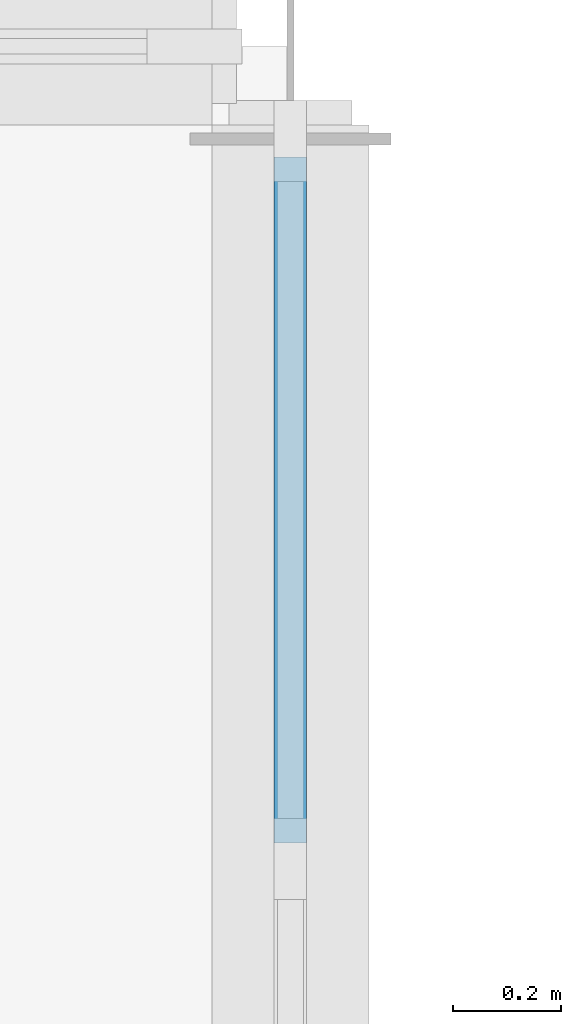
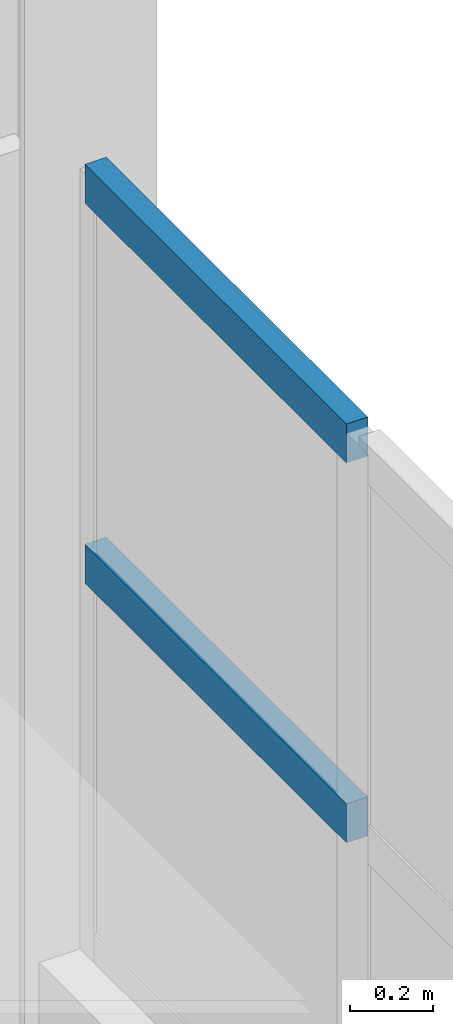
# One storey, part 45 of 92: 2 members, 1 element without a shape of its own.
"""IFC4 building model written with IfcOpenShell, lengths in metres."""

from ifc_helpers import new_model, si_unit, direction, frame, origin, origin_2d, place, context, subcontext, project, spatial, rectangle, extrude, material, material_profile, profile_set, type_object, element, aggregate, save


model = new_model("IFC4")

# Units and contexts
model_context = context("Model", 3, precision=1e-05, world=origin(), true_north=direction((0.0, 1.0)))
body_context = subcontext(model_context, "Body", "Model", "MODEL_VIEW")
ifc_project = project(units=[si_unit("LENGTHUNIT", "METRE"), si_unit("AREAUNIT", "SQUARE_METRE"), si_unit("VOLUMEUNIT", "CUBIC_METRE"), si_unit("PLANEANGLEUNIT", "RADIAN"), si_unit("MASSUNIT", "GRAM", prefix="KILO")], contexts=[model_context])

# Site, building, storey
site_placement = place(None, origin())
site = spatial("IfcSite", under=ifc_project, at=site_placement, CompositionType="ELEMENT")
building_placement = place(site_placement, origin())
building = spatial("IfcBuilding", under=site, at=building_placement, Name="Siltcreek Boulevard Central Fire Station", CompositionType="ELEMENT")
storey_placement = place(building_placement, frame((0.0, 0.0, 6.0)))
storey = spatial("IfcBuildingStorey", under=building, at=storey_placement, Name="L02", CompositionType="ELEMENT", Elevation=6.0)

# Curtain wall, members
ifc_material_1 = material(Name="Anodized aluminum and low-E insulated glazing", Category="aluminium")
curtain_wall_type = type_object("IfcCurtainWallType", Name="CW_SYS_30", PredefinedType="USERDEFINED", material=ifc_material_1)
curtain_wall_placement = place(storey_placement, origin())
curtain_wall = element("IfcCurtainWall", 1, at=curtain_wall_placement, inside=storey, type_object=curtain_wall_type, Name="L02 V5 unitised curtain wall CW-149", ObjectType="CURTAIN WALL", PredefinedType="USERDEFINED")
ifc_material_2 = material(Name="Anodized 6063-T6 aluminum framing", Category="aluminium")
ifc_material_profile = material_profile(ifc_material_2, rectangle(XDim=0.06005859375, YDim=0.114990234375, at=origin_2d()), Name="TRAN60X115")
ifc_profile_set = profile_set([ifc_material_profile], Name="Anodized 6063-T6 aluminum framing")
member_type = type_object("IfcMemberType", Name="CWT_60X115", PredefinedType="USERDEFINED", material=ifc_profile_set)
member_1_placement = place(storey_placement, frame((166.199951171875, 110.7275390625, 2.073486328125), z_axis=(0.0, 1.0, 0.0), x_axis=(-1.0, 0.0, 0.0)))
member_1 = element("IfcMember", 2, at=member_1_placement, type_object=member_type, Name="CW-149 transom 2.2", ObjectType="TRANSOM", PredefinedType="USERDEFINED", context=body_context, shape_type="SweptSolid", body=[
    extrude(rectangle(XDim=0.06005859375, YDim=0.114990234375, at=origin_2d()), origin(), (0.0, 0.0, 1.0), 1.267578125),
])
member_2_placement = place(storey_placement, frame((166.199951171875, 110.7275390625, 3.197021484375), z_axis=(0.0, 1.0, 0.0), x_axis=(-1.0, 0.0, 0.0)))
member_2 = element("IfcMember", 3, at=member_2_placement, type_object=member_type, Name="CW-149 transom 2.3", ObjectType="TRANSOM", PredefinedType="USERDEFINED", context=body_context, shape_type="SweptSolid", body=[
    extrude(rectangle(XDim=0.06005859375, YDim=0.114990234375, at=origin_2d()), origin(), (0.0, 0.0, 1.0), 1.267578125),
])
aggregate(curtain_wall, [member_1, member_2])

save(model, "model.ifc")
